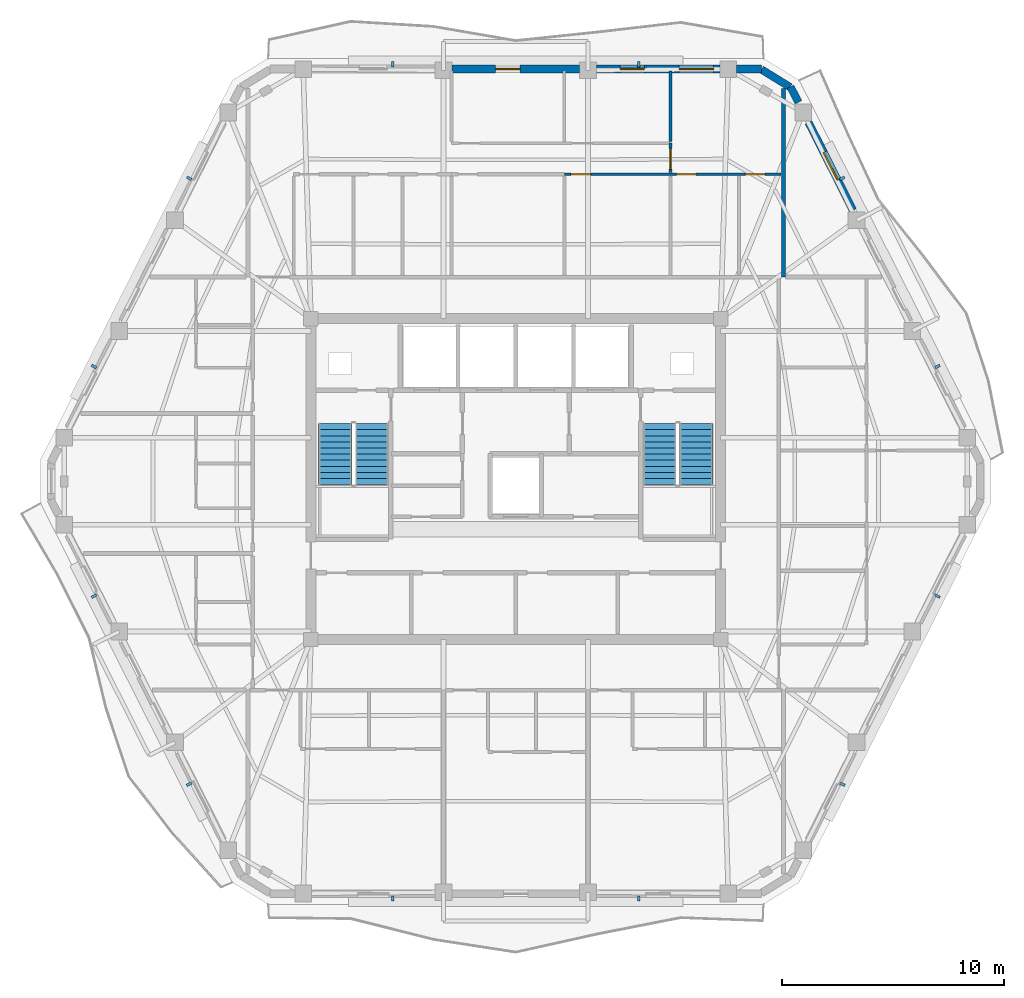
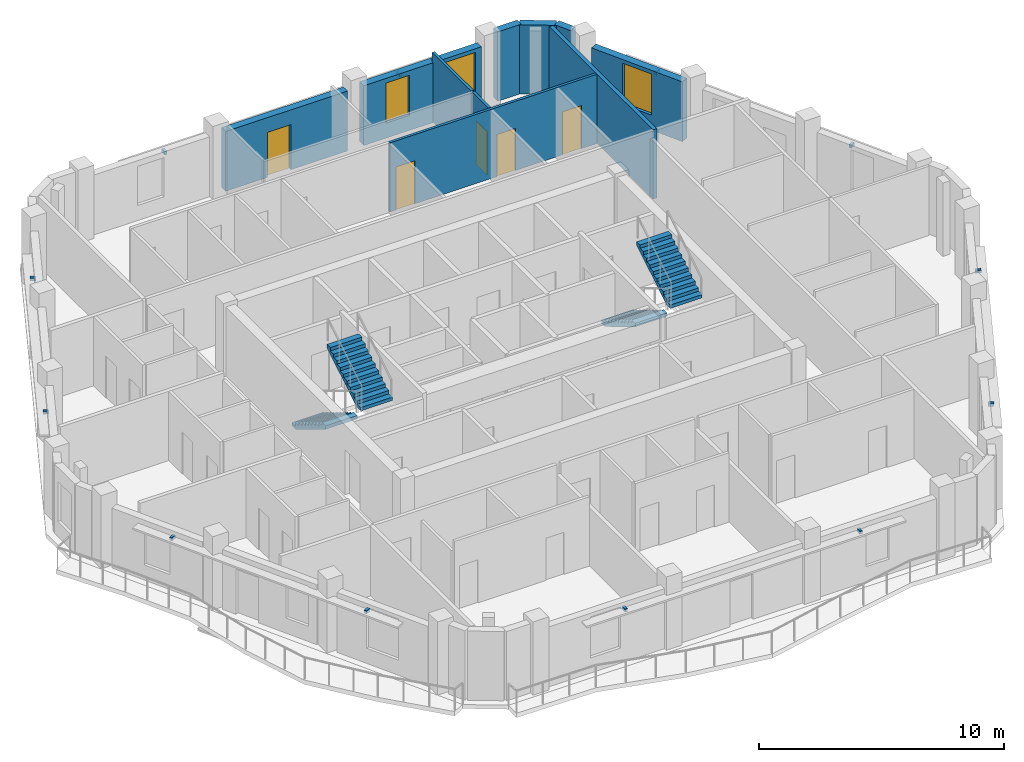
# One storey, part 8 of 11: 12 discrete accessories, 10 walls, 5 doors, 4 stair flights, 3 windows, 8 openings, 2 elements without a shape of their own.
"""IFC4 building model written with IfcOpenShell, lengths in metres."""

import ifcopenshell
import ifcopenshell.guid

model = None  # the IFC model being written
_history = None  # IfcOwnerHistory: only IFC2X3 demands one
_inside = {}  # id of a spatial element -> (the spatial element, [elements in it])
_under = {}  # id of a project, library or spatial element -> (it, [spatial elements below it])
_declared = {}  # id of a project -> (the project, [libraries it declares])
_typed = {}  # id of a type object -> (the type object, [elements of that type])
_made_of = {}  # id of a material, layer set ... -> (it, [elements and type objects made of it])


def new_model(schema):
    """Start an empty IFC model of exactly this schema.

    Asked for "IFC4X3", IfcOpenShell would pick the latest addendum, in which some entities
    have other attributes; the version numbers below select the first issue.
    IFC2X3 requires an IfcOwnerHistory on every rooted entity: one is made here for all.
    """
    global model, _history
    if schema == "IFC4X3":
        model = ifcopenshell.file(schema_version=(4, 3, 0, 0))
    else:
        model = ifcopenshell.file(schema=schema)
    _inside.clear()
    _under.clear()
    _declared.clear()
    _typed.clear()
    _made_of.clear()
    _history = None
    if model.schema == "IFC2X3":
        org = make("IfcOrganization", Name="unknown")
        user = make(
            "IfcPersonAndOrganization",
            ThePerson=make("IfcPerson", FamilyName="unknown"),
            TheOrganization=org,
        )
        app = make(
            "IfcApplication",
            ApplicationDeveloper=org,
            Version="unknown",
            ApplicationFullName="unknown",
            ApplicationIdentifier="unknown",
        )
        _history = make(
            "IfcOwnerHistory",
            OwningUser=user,
            OwningApplication=app,
            ChangeAction="ADDED",
            CreationDate=0,
        )
    return model


def make(cls, **values):
    """One entity of the class cls with the attributes given. An attribute that is None is left unset."""
    return model.create_entity(
        cls, **{name: value for name, value in values.items() if value is not None}
    )


def rooted(cls, **values):
    """An entity with a GlobalId (a new one), such as an element, a storey or a relation."""
    return make(cls, GlobalId=ifcopenshell.guid.new(), OwnerHistory=_history, **values)


def si_unit(unit_type, name, prefix=None):
    """IfcSIUnit, for example si_unit("LENGTHUNIT", "METRE", prefix="MILLI")."""
    return make("IfcSIUnit", UnitType=unit_type, Prefix=prefix, Name=name)


def assignment(units):
    """IfcUnitAssignment: the units of a project."""
    return None if units is None else make("IfcUnitAssignment", Units=units)


def point(xyz):
    """IfcCartesianPoint."""
    return None if xyz is None else make("IfcCartesianPoint", Coordinates=xyz)


def direction(xyz):
    """IfcDirection."""
    return None if xyz is None else make("IfcDirection", DirectionRatios=xyz)


def frame(location, z_axis=None, x_axis=None):
    """IfcAxis2Placement3D, a coordinate frame: its origin and axes. An axis left out is left unset."""
    return make(
        "IfcAxis2Placement3D",
        Location=point(location),
        Axis=direction(z_axis),
        RefDirection=direction(x_axis),
    )


def frame_2d(location, x_axis=None):
    """IfcAxis2Placement2D, a coordinate frame in the plane: its origin and x axis."""
    return make(
        "IfcAxis2Placement2D", Location=point(location), RefDirection=direction(x_axis)
    )


def origin():
    """The frame at (0, 0, 0) with its axes left unset."""
    return frame((0.0, 0.0, 0.0))


def origin_2d():
    """The frame at (0, 0) in the plane with its x axis left unset."""
    return frame_2d((0.0, 0.0))


def place(relative_to, where):
    """IfcLocalPlacement: puts the frame where relative to a parent placement (None: the world)."""
    return make(
        "IfcLocalPlacement", PlacementRelTo=relative_to, RelativePlacement=where
    )


def context(
    kind, dimensions, precision=None, world=None, true_north=None, identifier=None
):
    """IfcGeometricRepresentationContext, for example the 3D "Model" context."""
    return make(
        "IfcGeometricRepresentationContext",
        ContextIdentifier=identifier,
        ContextType=kind,
        CoordinateSpaceDimension=dimensions,
        Precision=precision,
        WorldCoordinateSystem=world,
        TrueNorth=true_north,
    )


def subcontext(parent, identifier, kind, view, scale=None):
    """IfcGeometricRepresentationSubContext, for example "Body" below "Model"."""
    return make(
        "IfcGeometricRepresentationSubContext",
        ContextIdentifier=identifier,
        ContextType=kind,
        ParentContext=parent,
        TargetScale=scale,
        TargetView=view,
    )


def project(units=None, contexts=None):
    """IfcProject with its units and contexts."""
    return rooted(
        "IfcProject",
        Name="project",
        RepresentationContexts=contexts,
        UnitsInContext=assignment(units),
    )


def spatial(cls, under=None, at=None, **own):
    """A site, building, storey or space (cls), placed at a placement, below another one or the project."""
    s = rooted(cls, ObjectPlacement=at, **own)
    if under is not None:
        _under.setdefault(under.id(), (under, []))[1].append(s)
    return s


def polyline(points):
    """IfcPolyline through the points."""
    return make("IfcPolyline", Points=[point(p) for p in points])


def profile(cls, at=None, kind="AREA", **sizes):
    """A parametric profile (cls). Its sizes go by their IFC names, for example OverallWidth=200.0."""
    return make(cls, ProfileType=kind, Position=at, **sizes)


def rectangle(**sizes):
    """IfcRectangleProfileDef."""
    return profile("IfcRectangleProfileDef", **sizes)


def outline(outer, holes=None, kind="AREA"):
    """IfcArbitraryClosedProfileDef: a profile drawn as a closed curve; with holes, ...WithVoids."""
    if holes is None:
        return make("IfcArbitraryClosedProfileDef", ProfileType=kind, OuterCurve=outer)
    return make(
        "IfcArbitraryProfileDefWithVoids",
        ProfileType=kind,
        OuterCurve=outer,
        InnerCurves=holes,
    )


def extrude(swept, where, along, depth):
    """IfcExtrudedAreaSolid: the profile swept, set in the frame where, extruded along a direction by depth."""
    return make(
        "IfcExtrudedAreaSolid",
        SweptArea=swept,
        Position=where,
        ExtrudedDirection=direction(along),
        Depth=depth,
    )


def shape(context_of_items, identifier, shape_type, items):
    """IfcShapeRepresentation: the items that make up one representation, for example the "Body"."""
    return make(
        "IfcShapeRepresentation",
        ContextOfItems=context_of_items,
        RepresentationIdentifier=identifier,
        RepresentationType=shape_type,
        Items=items,
    )


def material(Name=None, Category=None):
    """IfcMaterial."""
    return make("IfcMaterial", Name=Name, Category=Category)


def layer(
    of_material, thickness, ventilated=None, Name=None, Category=None, Priority=None
):
    """IfcMaterialLayer: one layer of a wall or slab, of a material (None: an air gap)."""
    return make(
        "IfcMaterialLayer",
        Material=of_material,
        LayerThickness=thickness,
        IsVentilated=ventilated,
        Name=Name,
        Category=Category,
        Priority=Priority,
    )


def layer_set(layers, Name=None):
    """IfcMaterialLayerSet."""
    return make("IfcMaterialLayerSet", MaterialLayers=layers, LayerSetName=Name)


def made_of(thing, what):
    """Note that an element or type object is made of a material, layer set ...; save() writes the relation."""
    if what is not None:
        _made_of.setdefault(what.id(), (what, []))[1].append(thing)
    return thing


def type_object(cls, material=None, **own):
    """A type object (cls), such as IfcWallType, which elements share."""
    return made_of(rooted(cls, **own), material)


def element(
    cls,
    number,
    at=None,
    inside=None,
    cuts=None,
    type_object=None,
    material=None,
    context=None,
    identifier="Body",
    shape_type=None,
    held_by="IfcProductDefinitionShape",
    body=None,
    shapes=None,
    **own,
):
    """One element of the class cls, such as IfcWall. Its Tag is "e" and its number.

    at: its placement. inside: the storey or other place that contains it. cuts: it is an
    opening in that element (IfcRelVoidsElement). A single representation is given by context,
    identifier, shape_type and body (its items); several are given by shapes. held_by: the class
    of the entity that holds the representations. save() writes the other relations.
    """
    e = rooted(cls, Tag="e%d" % number, ObjectPlacement=at, **own)
    if body is not None:
        shapes = [shape(context, identifier, shape_type, body)]
    if shapes is not None:
        e.Representation = make(held_by, Representations=shapes)
    if inside is not None:
        _inside.setdefault(inside.id(), (inside, []))[1].append(e)
    if cuts is not None:
        rooted(
            "IfcRelVoidsElement", RelatingBuildingElement=cuts, RelatedOpeningElement=e
        )
    if type_object is not None:
        _typed.setdefault(type_object.id(), (type_object, []))[1].append(e)
    return made_of(e, material)


def fill(opening, filler):
    """IfcRelFillsElement: the door or window that sits in an opening."""
    return rooted(
        "IfcRelFillsElement",
        RelatingOpeningElement=opening,
        RelatedBuildingElement=filler,
    )


def aggregate(whole, parts):
    """IfcRelAggregates: a whole, such as a stair, and the parts it consists of."""
    return rooted("IfcRelAggregates", RelatingObject=whole, RelatedObjects=parts)


def save(model, path):
    """Write the relations noted so far, then the file.

    IfcRelAggregates (storeys below a building ...), IfcRelContainedInSpatialStructure (elements
    in a storey), IfcRelDefinesByType, IfcRelAssociatesMaterial and IfcRelDeclares: one each for
    every whole, place, type object, material and project.
    """
    for whole, parts in _under.values():
        aggregate(whole, parts)
    for where, things in _inside.values():
        rooted(
            "IfcRelContainedInSpatialStructure",
            RelatedElements=things,
            RelatingStructure=where,
        )
    for kind, things in _typed.values():
        rooted("IfcRelDefinesByType", RelatedObjects=things, RelatingType=kind)
    for what, things in _made_of.values():
        rooted("IfcRelAssociatesMaterial", RelatedObjects=things, RelatingMaterial=what)
    for by, libraries in _declared.values():
        rooted("IfcRelDeclares", RelatingContext=by, RelatedDefinitions=libraries)
    model.write(path)


model = new_model("IFC4")

# Units and contexts
model_context = context("Model", 3, precision=1e-05, world=origin(), true_north=direction((0.0, 1.0)))
body_context = subcontext(model_context, "Body", "Model", "MODEL_VIEW")
ifc_project = project(units=[si_unit("LENGTHUNIT", "METRE"), si_unit("AREAUNIT", "SQUARE_METRE"), si_unit("VOLUMEUNIT", "CUBIC_METRE"), si_unit("PLANEANGLEUNIT", "RADIAN"), si_unit("MASSUNIT", "GRAM", prefix="KILO")], contexts=[model_context])

# Site, building, storey
site_placement = place(None, origin())
site = spatial("IfcSite", under=ifc_project, at=site_placement, CompositionType="ELEMENT")
building_placement = place(site_placement, origin())
building = spatial("IfcBuilding", under=site, at=building_placement, Name="Cinnabar Lancet Tower", CompositionType="ELEMENT")
storey_placement = place(building_placement, frame((0.0, 0.0, 245.25)))
storey = spatial("IfcBuildingStorey", under=building, at=storey_placement, Name="L65", CompositionType="ELEMENT", Elevation=245.25)

# Wall
ifc_material_1 = material(Name="Fire-rated twin-frame acoustic drywall", Category="gypsum")
ifc_layer_1 = layer(ifc_material_1, 0.179931640625)
ifc_layer_set_1 = layer_set([ifc_layer_1], Name="Fire-rated twin-frame acoustic drywall")
wall_type_1 = type_object("IfcWallType", Name="ARC-WL-PARTY-180", PredefinedType="PARTITIONING", material=ifc_layer_set_1)
wall_1_placement = place(storey_placement, frame((44.449951171875, 35.0, 0.0), z_axis=(0.0, 0.0, 1.0), x_axis=(0.0, 1.0, 0.0)))
element("IfcWall", 1, at=wall_1_placement, inside=storey, type_object=wall_type_1, Name="PW-L65-NPTY-444", PredefinedType="PARTITIONING", context=body_context, shape_type="SweptSolid", body=[
    extrude(rectangle(XDim=8.48095703125, YDim=0.179931640625, at=frame_2d((4.240478515625, 0.0))), origin(), (0.0, 0.0, 1.0), 3.449951171875),
])

# Wall, openings, doors
ifc_material_2 = material(Name="Gypsum plasterboard stud partition", Category="gypsum")
ifc_layer_2 = layer(ifc_material_2, 0.125)
ifc_layer_set_2 = layer_set([ifc_layer_2], Name="Gypsum plasterboard stud partition")
wall_type_2 = type_object("IfcWallType", Name="ARC-WL-UNIT-125", PredefinedType="PARTITIONING", material=ifc_layer_set_2)
wall_2_placement = place(storey_placement, frame((34.587890625, 39.62890625, 0.0), z_axis=(0.0, 0.0, 1.0), x_axis=(1.0, 0.0, 0.0)))
wall_2 = element("IfcWall", 2, at=wall_2_placement, inside=storey, type_object=wall_type_2, Name="UW-L65-N01-SP2", PredefinedType="PARTITIONING", context=body_context, shape_type="SweptSolid", body=[
    extrude(rectangle(XDim=9.76708984375, YDim=0.125, at=frame_2d((4.883544921875, 0.0))), origin(), (0.0, 0.0, 1.0), 3.449951171875),
])
opening_1_placement = place(wall_2_placement, frame((5.06201171875, 0.0, 0.0)))
opening_1 = element("IfcOpeningElement", 3, at=opening_1_placement, cuts=wall_2, Name="Opening BD-01", PredefinedType="OPENING", context=body_context, shape_type="SweptSolid", body=[
    extrude(rectangle(XDim=0.860107421875, YDim=2.10009765625, at=frame_2d((0.43017578125, 1.050048828125))), frame((0.0, 0.072509765625, 0.0), z_axis=(0.0, -1.0, 0.0), x_axis=(1.0, 0.0, 0.0)), (0.0, 0.0, 1.0), 0.14501953125),
])
opening_2_placement = place(wall_2_placement, frame((8.14990234375, 0.0, 0.0)))
opening_2 = element("IfcOpeningElement", 4, at=opening_2_placement, cuts=wall_2, Name="Opening RD-02", PredefinedType="OPENING", context=body_context, shape_type="SweptSolid", body=[
    extrude(rectangle(XDim=0.8798828125, YDim=2.14990234375, at=frame_2d((0.43994140625, 1.074951171875))), frame((0.0, 0.072509765625, 0.0), z_axis=(0.0, -1.0, 0.0), x_axis=(1.0, 0.0, 0.0)), (0.0, 0.0, 1.0), 0.14501953125),
])
opening_3_placement = place(wall_2_placement, frame((0.300048828125, 0.0, 0.0)))
opening_3 = element("IfcOpeningElement", 5, at=opening_3_placement, cuts=wall_2, Name="Opening RD-02", PredefinedType="OPENING", context=body_context, shape_type="SweptSolid", body=[
    extrude(rectangle(XDim=0.8798828125, YDim=2.14990234375, at=frame_2d((0.43994140625, 1.074951171875))), frame((0.0, 0.072509765625, 0.0), z_axis=(0.0, -1.0, 0.0), x_axis=(1.0, 0.0, 0.0)), (0.0, 0.0, 1.0), 0.14501953125),
])
ifc_material_3 = material(Name="Moisture-resistant timber bathroom door", Category="wood")
door_type_1 = type_object("IfcDoorType", Name="ARC-DR-BATH", OperationType="NOTDEFINED", PredefinedType="DOOR", material=ifc_material_3)
door_1_placement = place(opening_1_placement, origin())
door_1 = element("IfcDoor", 6, at=door_1_placement, inside=storey, type_object=door_type_1, Name="DR-L65-N01-ENS", OperationType="SINGLE_SWING_RIGHT", OverallHeight=2.10009765625, OverallWidth=0.860107421875, PredefinedType="DOOR", context=body_context, shape_type="SweptSolid", body=[
    extrude(rectangle(XDim=0.860107421875, YDim=2.10009765625, at=frame_2d((0.43017578125, 1.050048828125))), frame((0.0, 0.02490234375, 0.0), z_axis=(0.0, -1.0, 0.0), x_axis=(1.0, 0.0, 0.0)), (0.0, 0.0, 1.0), 0.050048828125),
])
fill(opening_1, door_1)
ifc_material_4 = material(Name="Engineered timber study door", Category="wood")
door_type_2 = type_object("IfcDoorType", Name="ARC-DR-STUDY", OperationType="NOTDEFINED", PredefinedType="DOOR", material=ifc_material_4)
door_2_placement = place(opening_2_placement, origin())
door_2 = element("IfcDoor", 7, at=door_2_placement, inside=storey, type_object=door_type_2, Name="DR-L65-N01-ENS-WDR", OperationType="SINGLE_SWING_LEFT", OverallHeight=2.14990234375, OverallWidth=0.8798828125, PredefinedType="DOOR", context=body_context, shape_type="SweptSolid", body=[
    extrude(rectangle(XDim=0.8798828125, YDim=2.14990234375, at=frame_2d((0.43994140625, 1.074951171875))), frame((0.0, 0.02490234375, 0.0), z_axis=(0.0, -1.0, 0.0), x_axis=(1.0, 0.0, 0.0)), (0.0, 0.0, 1.0), 0.050048828125),
])
fill(opening_2, door_2)
door_3_placement = place(opening_3_placement, origin())
door_3 = element("IfcDoor", 8, at=door_3_placement, inside=storey, type_object=door_type_2, Name="DR-L65-N01-DRS", OperationType="SINGLE_SWING_LEFT", OverallHeight=2.14990234375, OverallWidth=0.8798828125, PredefinedType="DOOR", context=body_context, shape_type="SweptSolid", body=[
    extrude(rectangle(XDim=0.8798828125, YDim=2.14990234375, at=frame_2d((0.43994140625, 1.074951171875))), frame((0.0, 0.02490234375, 0.0), z_axis=(0.0, -1.0, 0.0), x_axis=(1.0, 0.0, 0.0)), (0.0, 0.0, 1.0), 0.050048828125),
])
fill(opening_3, door_3)

# Wall, opening, door
wall_3_placement = place(storey_placement, frame((39.3701171875, 39.698974609375, 0.0), z_axis=(0.0, 0.0, 1.0), x_axis=(0.0, 1.0, 0.0)))
wall_3 = element("IfcWall", 9, at=wall_3_placement, inside=storey, type_object=wall_type_2, Name="UW-L65-N01-MBE", PredefinedType="PARTITIONING", context=body_context, shape_type="SweptSolid", body=[
    extrude(rectangle(XDim=1.330078125, YDim=0.125, at=frame_2d((0.6650390625, 0.0))), origin(), (0.0, 0.0, 1.0), 3.449951171875),
])
opening_4_placement = place(wall_3_placement, frame((0.159912109375, 0.0, 0.0)))
opening_4 = element("IfcOpeningElement", 10, at=opening_4_placement, cuts=wall_3, Name="Opening RD-01", PredefinedType="OPENING", context=body_context, shape_type="SweptSolid", body=[
    extrude(rectangle(XDim=0.919921875, YDim=2.14990234375, at=frame_2d((0.4599609375, 1.074951171875))), frame((0.0, 0.072509765625, 0.0), z_axis=(0.0, -1.0, 0.0), x_axis=(1.0, 0.0, 0.0)), (0.0, 0.0, 1.0), 0.14501953125),
])
ifc_material_5 = material(Name="Engineered timber bedroom door", Category="wood")
door_type_3 = type_object("IfcDoorType", Name="ARC-DR-ROOM", OperationType="NOTDEFINED", PredefinedType="DOOR", material=ifc_material_5)
door_4_placement = place(opening_4_placement, origin())
door_4 = element("IfcDoor", 11, at=door_4_placement, inside=storey, type_object=door_type_3, Name="DR-L65-N01-MBD", OperationType="SINGLE_SWING_RIGHT", OverallHeight=2.14990234375, OverallWidth=0.919921875, PredefinedType="DOOR", context=body_context, shape_type="SweptSolid", body=[
    extrude(rectangle(XDim=0.919921875, YDim=2.14990234375, at=frame_2d((0.4599609375, 1.074951171875))), frame((0.0, 0.02490234375, 0.0), z_axis=(0.0, -1.0, 0.0), x_axis=(1.0, 0.0, 0.0)), (0.0, 0.0, 1.0), 0.050048828125),
])
fill(opening_4, door_4)

# Walls
wall_4_placement = place(storey_placement, frame((39.3701171875, 41.093994140625, 0.0), z_axis=(0.0, 0.0, 1.0), x_axis=(0.0, 1.0, 0.0)))
element("IfcWall", 12, at=wall_4_placement, inside=storey, type_object=wall_type_2, Name="UW-L65-N01-B23W", PredefinedType="PARTITIONING", context=body_context, shape_type="SweptSolid", body=[
    extrude(rectangle(XDim=3.19091796875, YDim=0.125, at=frame_2d((1.595458984375, 0.0))), origin(), (0.0, 0.0, 1.0), 3.449951171875),
])
ifc_material_6 = material(Name="Cinnabar red clay brick", Category="masonry")
ifc_layer_3 = layer(ifc_material_6, 0.340087890625)
ifc_layer_set_3 = layer_set([ifc_layer_3], Name="Cinnabar red clay brick")
wall_type_3 = type_object("IfcWallType", Name="ENV-WL-BRK-RED-340", PredefinedType="STANDARD", material=ifc_layer_set_3)
wall_5_placement = place(storey_placement, frame((44.7529296875, 43.554931640625, 0.0), z_axis=(0.0, 0.0, 1.0), x_axis=(-0.851680557619, 0.52406128246, 0.0)))
element("IfcWall", 13, at=wall_5_placement, inside=storey, type_object=wall_type_3, Name="L65 Chamfered Corner Brick Pier 4.1", PredefinedType="STANDARD", context=body_context, shape_type="SweptSolid", body=[
    extrude(rectangle(XDim=1.507568359375, YDim=0.340087890625, at=frame_2d((0.75390625, 0.0))), origin(), (0.0, 0.0, 1.0), 3.449951171875),
])

# Wall, opening, window
wall_6_placement = place(storey_placement, frame((47.5859375, 38.010009765625, 0.0), z_axis=(0.0, 0.0, 1.0), x_axis=(-0.451463046281, 0.89228981718, 0.0)))
wall_6 = element("IfcWall", 14, at=wall_6_placement, inside=storey, type_object=wall_type_3, Name="L65 Face 3 Masonry Bay Wall 4", PredefinedType="STANDARD", context=body_context, shape_type="SweptSolid", body=[
    extrude(rectangle(XDim=4.429931640625, YDim=0.340087890625, at=frame_2d((2.21484375, 0.0))), origin(), (0.0, 0.0, 1.0), 2.98291015625),
])
opening_5_placement = place(wall_6_placement, frame((1.514892578125, 0.0, 0.75)))
opening_5 = element("IfcOpeningElement", 15, at=opening_5_placement, cuts=wall_6, Name="Opening WN-02", PredefinedType="OPENING", context=body_context, shape_type="SweptSolid", body=[
    extrude(rectangle(XDim=1.39990234375, YDim=2.050048828125, at=frame_2d((0.699951171875, 1.02490234375))), frame((0.0, 0.179931640625, 0.0), z_axis=(0.0, -1.0, 0.0), x_axis=(1.0, 0.0, 0.0)), (0.0, 0.0, 1.0), 0.360107421875),
])
ifc_material_7 = material(Name="Thermally broken bronze-anodized aluminium low-E double glazing", Category="aluminium")
window_type_1 = type_object("IfcWindowType", Name="ENV-WN-LANCET-1400", PartitioningType="SINGLE_PANEL", PredefinedType="WINDOW", material=ifc_material_7)
window_1_placement = place(opening_5_placement, origin())
window_1 = element("IfcWindow", 16, at=window_1_placement, inside=storey, type_object=window_type_1, Name="L65 Face 3 Gothic Lancet Window 4", OverallHeight=2.050048828125, OverallWidth=1.39990234375, PartitioningType="SINGLE_PANEL", PredefinedType="WINDOW", context=body_context, shape_type="SweptSolid", body=[
    extrude(rectangle(XDim=1.39990234375, YDim=2.050048828125, at=frame_2d((0.699951171875, 1.02490234375))), frame((0.0, 0.030029296875, 0.0), z_axis=(0.0, -1.0, 0.0), x_axis=(1.0, 0.0, 0.0)), (0.0, 0.0, 1.0), 0.06005859375),
])
fill(opening_5, window_1)

# Walls
wall_7_placement = place(storey_placement, frame((45.1298828125, 42.864990234375, 0.0), z_axis=(0.0, 0.0, 1.0), x_axis=(-0.451159191899, 0.892443490404, 0.0)))
element("IfcWall", 17, at=wall_7_placement, inside=storey, type_object=wall_type_3, Name="L65 Face 3 Masonry Bay Wall 5", PredefinedType="STANDARD", context=body_context, shape_type="SweptSolid", body=[
    extrude(rectangle(XDim=0.791259765625, YDim=0.340087890625, at=frame_2d((0.3955078125, 0.0))), origin(), (0.0, 0.0, 1.0), 3.449951171875),
])
wall_8_placement = place(storey_placement, frame((43.47412109375, 44.3701171875, 0.0), z_axis=(0.0, 0.0, 1.0), x_axis=(-1.0, 0.0, 0.0)))
element("IfcWall", 18, at=wall_8_placement, inside=storey, type_object=wall_type_3, Name="L65 Face 4 Masonry Bay Wall 1", PredefinedType="STANDARD", context=body_context, shape_type="SweptSolid", body=[
    extrude(rectangle(XDim=1.123046875, YDim=0.340087890625, at=frame_2d((0.5615234375, 0.0))), origin(), (0.0, 0.0, 1.0), 3.449951171875),
])

# Wall, openings, windows
wall_9_placement = place(storey_placement, frame((41.593017578125, 44.3701171875, 0.0), z_axis=(0.0, 0.0, 1.0), x_axis=(-1.0, 0.0, 0.0)))
wall_9 = element("IfcWall", 19, at=wall_9_placement, inside=storey, type_object=wall_type_3, Name="L65 Face 4 Masonry Bay Wall 2", PredefinedType="STANDARD", context=body_context, shape_type="SweptSolid", body=[
    extrude(rectangle(XDim=5.56005859375, YDim=0.340087890625, at=frame_2d((2.780029296875, 0.0))), origin(), (0.0, 0.0, 1.0), 2.98291015625),
])
opening_6_placement = place(wall_9_placement, frame((0.280029296875, 0.0, 0.75)))
opening_6 = element("IfcOpeningElement", 20, at=opening_6_placement, cuts=wall_9, Name="Opening WN-01", PredefinedType="OPENING", context=body_context, shape_type="SweptSolid", body=[
    extrude(rectangle(XDim=1.550048828125, YDim=2.050048828125, at=frame_2d((0.77490234375, 1.02490234375))), frame((0.0, 0.179931640625, 0.0), z_axis=(0.0, -1.0, 0.0), x_axis=(1.0, 0.0, 0.0)), (0.0, 0.0, 1.0), 0.360107421875),
])
opening_7_placement = place(wall_9_placement, frame((3.39794921875, 0.0, 0.75)))
opening_7 = element("IfcOpeningElement", 21, at=opening_7_placement, cuts=wall_9, Name="Opening WN-04", PredefinedType="OPENING", context=body_context, shape_type="SweptSolid", body=[
    extrude(rectangle(XDim=1.10009765625, YDim=2.0, at=frame_2d((0.550048828125, 1.0))), frame((0.0, 0.179931640625, 0.0), z_axis=(0.0, -1.0, 0.0), x_axis=(1.0, 0.0, 0.0)), (0.0, 0.0, 1.0), 0.360107421875),
])
ifc_material_8 = material(Name="Thermally broken bronze-anodized aluminium tall lancet window", Category="aluminium")
window_type_2 = type_object("IfcWindowType", Name="ENV-WN-LANCET-1100", PartitioningType="SINGLE_PANEL", PredefinedType="WINDOW", material=ifc_material_8)
window_2_placement = place(opening_7_placement, origin())
window_2 = element("IfcWindow", 22, at=window_2_placement, inside=storey, type_object=window_type_2, Name="L65 Split-Bay Gothic Lancet Window 230", OverallHeight=2.0, OverallWidth=1.10009765625, PartitioningType="SINGLE_PANEL", PredefinedType="WINDOW", context=body_context, shape_type="SweptSolid", body=[
    extrude(rectangle(XDim=1.10009765625, YDim=2.0, at=frame_2d((0.550048828125, 1.0))), frame((0.0, 0.030029296875, 0.0), z_axis=(0.0, -1.0, 0.0), x_axis=(1.0, 0.0, 0.0)), (0.0, 0.0, 1.0), 0.06005859375),
])
fill(opening_7, window_2)
ifc_material_9 = material(Name="Thermally broken bronze-anodized aluminium low-E double glazing", Category="aluminium")
window_type_3 = type_object("IfcWindowType", Name="ENV-WN-LANCET-1550", PartitioningType="SINGLE_PANEL", PredefinedType="WINDOW", material=ifc_material_9)
window_3_placement = place(opening_6_placement, origin())
window_3 = element("IfcWindow", 23, at=window_3_placement, inside=storey, type_object=window_type_3, Name="L65 Face 4 Gothic Lancet Window 2", OverallHeight=2.050048828125, OverallWidth=1.550048828125, PartitioningType="SINGLE_PANEL", PredefinedType="WINDOW", context=body_context, shape_type="SweptSolid", body=[
    extrude(rectangle(XDim=1.550048828125, YDim=2.050048828125, at=frame_2d((0.77490234375, 1.02490234375))), frame((0.0, 0.030029296875, 0.0), z_axis=(0.0, -1.0, 0.0), x_axis=(1.0, 0.0, 0.0)), (0.0, 0.0, 1.0), 0.06005859375),
])
fill(opening_6, window_3)

# Wall, opening, door
wall_10_placement = place(storey_placement, frame((35.27490234375, 44.3701171875, 0.0), z_axis=(0.0, 0.0, 1.0), x_axis=(-1.0, 0.0, 0.0)))
wall_10 = element("IfcWall", 24, at=wall_10_placement, inside=storey, type_object=wall_type_3, Name="L65 Face 4 Masonry Bay Wall 3", PredefinedType="STANDARD", context=body_context, shape_type="SweptSolid", body=[
    extrude(rectangle(XDim=5.75, YDim=0.340087890625, at=frame_2d((2.875, 0.0))), origin(), (0.0, 0.0, 1.0), 2.98291015625),
])
opening_8_placement = place(wall_10_placement, frame((2.677001953125, 0.0, 0.0)))
opening_8 = element("IfcOpeningElement", 25, at=opening_8_placement, cuts=wall_10, Name="Opening TD-01", PredefinedType="OPENING", context=body_context, shape_type="SweptSolid", body=[
    extrude(rectangle(XDim=1.10009765625, YDim=2.25, at=frame_2d((0.550048828125, 1.125))), frame((0.0, 0.179931640625, 0.0), z_axis=(0.0, -1.0, 0.0), x_axis=(1.0, 0.0, 0.0)), (0.0, 0.0, 1.0), 0.360107421875),
])
ifc_material_10 = material(Name="Thermally broken low-E glazed balcony terrace door", Category="wood")
door_type_4 = type_object("IfcDoorType", Name="ARC-DR-BALC", OperationType="NOTDEFINED", PredefinedType="DOOR", material=ifc_material_10)
door_5_placement = place(opening_8_placement, origin())
door_5 = element("IfcDoor", 26, at=door_5_placement, inside=storey, type_object=door_type_4, Name="L65 Face 4 Glazed Terrace Door", OperationType="SINGLE_SWING_RIGHT", OverallHeight=2.25, OverallWidth=1.10009765625, PredefinedType="DOOR", context=body_context, shape_type="SweptSolid", body=[
    extrude(rectangle(XDim=1.10009765625, YDim=2.25, at=frame_2d((0.550048828125, 1.125))), frame((0.0, 0.02490234375, 0.0), z_axis=(0.0, -1.0, 0.0), x_axis=(1.0, 0.0, 0.0)), (0.0, 0.0, 1.0), 0.050048828125),
])
fill(opening_8, door_5)

# Stair, stair flights
ifc_material_11 = material(Name="Concrete C40/50", Category="concrete")
stair_type = type_object("IfcStairType", Name="ST-CORE", PredefinedType="HALF_TURN_STAIR", material=ifc_material_11)
stair_1_placement = place(storey_placement, origin())
stair_1 = element("IfcStair", 27, at=stair_1_placement, inside=storey, type_object=stair_type, Name="L65 ST-1", PredefinedType="HALF_TURN_STAIR")
ifc_material_12 = material(Name="Concrete C40/50", Category="concrete")
stair_flight_type = type_object("IfcStairFlightType", Name="FLIGHT-CORE", PredefinedType="STRAIGHT", material=ifc_material_12)
stair_flight_1_placement = place(storey_placement, frame((24.27490234375, 28.39990234375, 0.0), z_axis=(0.0, 0.0, 1.0), x_axis=(0.0, -1.0, 0.0)))
stair_flight_1 = element("IfcStairFlight", 28, at=stair_flight_1_placement, type_object=stair_flight_type, Name="ST-1 flight 1", NumberOfRisers=11, NumberOfTreads=10, PredefinedType="STRAIGHT", RiserHeight=0.165909091, TreadLength=0.275, context=body_context, shape_type="SweptSolid", body=[
    extrude(outline(polyline([(0.0, 0.0), (0.0, 0.166015625), (0.27490234375, 0.166015625), (0.27490234375, 0.331787109375), (0.550048828125, 0.331787109375), (0.550048828125, 0.497802734375), (0.824951171875, 0.497802734375), (0.824951171875, 0.66357421875), (1.10009765625, 0.66357421875), (1.10009765625, 0.82958984375), (1.375, 0.82958984375), (1.375, 0.995361328125), (1.64990234375, 0.995361328125), (1.64990234375, 1.161376953125), (1.925048828125, 1.161376953125), (1.925048828125, 1.327392578125), (2.199951171875, 1.327392578125), (2.199951171875, 1.4931640625), (2.47509765625, 1.4931640625), (2.47509765625, 1.6591796875), (2.75, 1.6591796875), (2.75, 1.824951171875), (2.75, 1.484130859375), (0.290283203125, 0.0), (0.0, 0.0)])), frame((0.0, 0.75, 0.0), z_axis=(0.0, -1.0, 0.0), x_axis=(1.0, 0.0, 0.0)), (0.0, 0.0, 1.0), 1.5),
])
stair_flight_2_placement = place(storey_placement, frame((25.925048828125, 25.64990234375, 1.824951171875), z_axis=(0.0, 0.0, 1.0), x_axis=(0.0, 1.0, 0.0)))
stair_flight_2 = element("IfcStairFlight", 29, at=stair_flight_2_placement, type_object=stair_flight_type, Name="ST-1 flight 2", NumberOfRisers=11, NumberOfTreads=10, PredefinedType="STRAIGHT", RiserHeight=0.165909091, TreadLength=0.275, context=body_context, shape_type="SweptSolid", body=[
    extrude(outline(polyline([(0.0, 0.0), (0.0, 0.166015625), (0.27490234375, 0.166015625), (0.27490234375, 0.331787109375), (0.550048828125, 0.331787109375), (0.550048828125, 0.497802734375), (0.824951171875, 0.497802734375), (0.824951171875, 0.66357421875), (1.10009765625, 0.66357421875), (1.10009765625, 0.82958984375), (1.375, 0.82958984375), (1.375, 0.995361328125), (1.64990234375, 0.995361328125), (1.64990234375, 1.161376953125), (1.925048828125, 1.161376953125), (1.925048828125, 1.327392578125), (2.199951171875, 1.327392578125), (2.199951171875, 1.4931640625), (2.47509765625, 1.4931640625), (2.47509765625, 1.6591796875), (2.75, 1.6591796875), (2.75, 1.824951171875), (2.75, 1.484130859375), (0.290283203125, 0.0), (0.0, 0.0)])), frame((0.0, 0.75, 0.0), z_axis=(0.0, -1.0, 0.0), x_axis=(1.0, 0.0, 0.0)), (0.0, 0.0, 1.0), 1.5),
])
aggregate(stair_1, [stair_flight_1, stair_flight_2])

stair_2_placement = place(storey_placement, origin())
stair_2 = element("IfcStair", 30, at=stair_2_placement, inside=storey, type_object=stair_type, Name="L65 ST-2", PredefinedType="HALF_TURN_STAIR")
stair_flight_3_placement = place(storey_placement, frame((38.875, 28.39990234375, 0.0), z_axis=(0.0, 0.0, 1.0), x_axis=(0.0, -1.0, 0.0)))
stair_flight_3 = element("IfcStairFlight", 31, at=stair_flight_3_placement, type_object=stair_flight_type, Name="ST-2 flight 1", NumberOfRisers=11, NumberOfTreads=10, PredefinedType="STRAIGHT", RiserHeight=0.165909091, TreadLength=0.275, context=body_context, shape_type="SweptSolid", body=[
    extrude(outline(polyline([(0.0, 0.0), (0.0, 0.166015625), (0.27490234375, 0.166015625), (0.27490234375, 0.331787109375), (0.550048828125, 0.331787109375), (0.550048828125, 0.497802734375), (0.824951171875, 0.497802734375), (0.824951171875, 0.66357421875), (1.10009765625, 0.66357421875), (1.10009765625, 0.82958984375), (1.375, 0.82958984375), (1.375, 0.995361328125), (1.64990234375, 0.995361328125), (1.64990234375, 1.161376953125), (1.925048828125, 1.161376953125), (1.925048828125, 1.327392578125), (2.199951171875, 1.327392578125), (2.199951171875, 1.4931640625), (2.47509765625, 1.4931640625), (2.47509765625, 1.6591796875), (2.75, 1.6591796875), (2.75, 1.824951171875), (2.75, 1.484130859375), (0.290283203125, 0.0), (0.0, 0.0)])), frame((0.0, 0.75, 0.0), z_axis=(0.0, -1.0, 0.0), x_axis=(1.0, 0.0, 0.0)), (0.0, 0.0, 1.0), 1.5),
])
stair_flight_4_placement = place(storey_placement, frame((40.52490234375, 25.64990234375, 1.824951171875), z_axis=(0.0, 0.0, 1.0), x_axis=(0.0, 1.0, 0.0)))
stair_flight_4 = element("IfcStairFlight", 32, at=stair_flight_4_placement, type_object=stair_flight_type, Name="ST-2 flight 2", NumberOfRisers=11, NumberOfTreads=10, PredefinedType="STRAIGHT", RiserHeight=0.165909091, TreadLength=0.275, context=body_context, shape_type="SweptSolid", body=[
    extrude(outline(polyline([(0.0, 0.0), (0.0, 0.166015625), (0.27490234375, 0.166015625), (0.27490234375, 0.331787109375), (0.550048828125, 0.331787109375), (0.550048828125, 0.497802734375), (0.824951171875, 0.497802734375), (0.824951171875, 0.66357421875), (1.10009765625, 0.66357421875), (1.10009765625, 0.82958984375), (1.375, 0.82958984375), (1.375, 0.995361328125), (1.64990234375, 0.995361328125), (1.64990234375, 1.161376953125), (1.925048828125, 1.161376953125), (1.925048828125, 1.327392578125), (2.199951171875, 1.327392578125), (2.199951171875, 1.4931640625), (2.47509765625, 1.4931640625), (2.47509765625, 1.6591796875), (2.75, 1.6591796875), (2.75, 1.824951171875), (2.75, 1.484130859375), (0.290283203125, 0.0), (0.0, 0.0)])), frame((0.0, 0.75, 0.0), z_axis=(0.0, -1.0, 0.0), x_axis=(1.0, 0.0, 0.0)), (0.0, 0.0, 1.0), 1.5),
])
aggregate(stair_2, [stair_flight_3, stair_flight_4])

# Discrete accessories
ifc_material_13 = material(Name="Stainless steel 316 facade fixing bracket", Category="steel")
discrete_accessory_type = type_object("IfcDiscreteAccessoryType", Name="ENV-ACC-BRK-180", PredefinedType="BRACKET", material=ifc_material_13)
for number, where, z_axis, x_axis, name in (
    (33, (26.863037109375, 7.010009765625, 2.60009765625), (0.0, 0.0, 1.0), (1.0, 0.0, 0.0), "L65 Face 1 Sunshade Bracket A"),
    (34, (37.93701171875, 7.010009765625, 2.60009765625), (0.0, 0.0, 1.0), (1.0, 0.0, 0.0), "L65 Face 1 Sunshade Bracket B"),
    (35, (47.10791015625, 12.157958984375, 2.60009765625), (0.0, 0.0, 1.0), (0.451375984307, 0.89233386173, 0.0), "L65 Face 2 Sunshade Bracket A"),
    (36, (51.39306640625, 20.6298828125, 2.60009765625), (0.0, 0.0, 1.0), (0.451375984307, 0.89233386173, 0.0), "L65 Face 2 Sunshade Bracket B"),
    (37, (51.39306640625, 30.969970703125, 2.60009765625), (0.0, 0.0, 1.0), (-0.451375984307, 0.89233386173, 0.0), "L65 Face 3 Sunshade Bracket A"),
    (38, (47.10791015625, 39.44189453125, 2.60009765625), (0.0, 0.0, 1.0), (-0.451375984307, 0.89233386173, 0.0), "L65 Face 3 Sunshade Bracket B"),
    (39, (37.93701171875, 44.590087890625, 2.60009765625), (0.0, 0.0, 1.0), (-1.0, 0.0, 0.0), "L65 Face 4 Sunshade Bracket A"),
    (40, (26.863037109375, 44.590087890625, 2.60009765625), (0.0, 0.0, 1.0), (-1.0, 0.0, 0.0), "L65 Face 4 Sunshade Bracket B"),
    (41, (17.69189453125, 39.44189453125, 2.60009765625), (0.0, 0.0, 1.0), (-0.451375984307, -0.89233386173, 0.0), "L65 Face 5 Sunshade Bracket A"),
    (42, (13.406982421875, 30.969970703125, 2.60009765625), (0.0, 0.0, 1.0), (-0.451375984307, -0.89233386173, 0.0), "L65 Face 5 Sunshade Bracket B"),
    (43, (13.406982421875, 20.6298828125, 2.60009765625), (0.0, 0.0, 1.0), (0.451375984307, -0.89233386173, 0.0), "L65 Face 6 Sunshade Bracket A"),
    (44, (17.69189453125, 12.157958984375, 2.60009765625), (0.0, 0.0, 1.0), (0.451375984307, -0.89233386173, 0.0), "L65 Face 6 Sunshade Bracket B"),
):
    element("IfcDiscreteAccessory", number, at=place(storey_placement, frame(where, z_axis=z_axis, x_axis=x_axis)), inside=storey, type_object=discrete_accessory_type, Name=name, PredefinedType="BRACKET", context=body_context, shape_type="SweptSolid", body=[
        extrude(rectangle(XDim=0.1201171875, YDim=0.239990234375, at=origin_2d()), origin(), (0.0, 0.0, 1.0), 0.159912109375),
    ])

save(model, "model.ifc")
